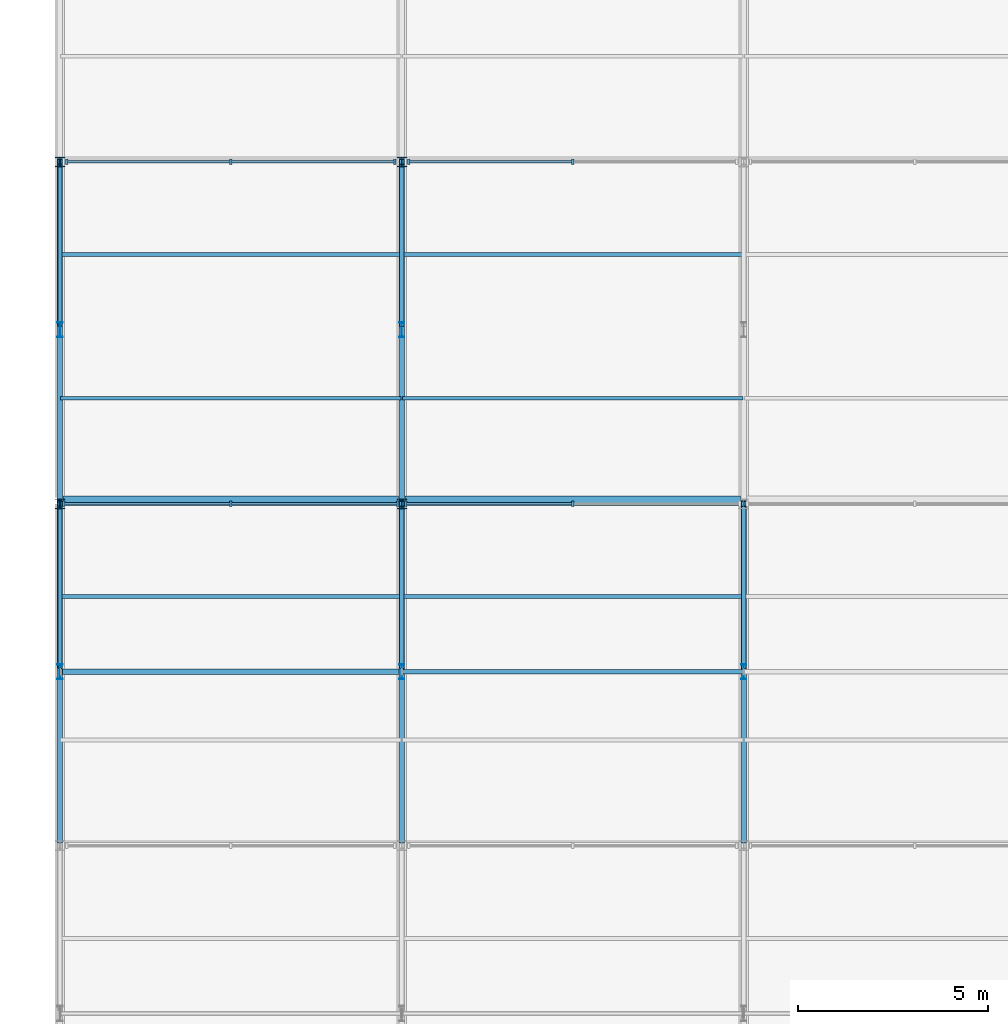
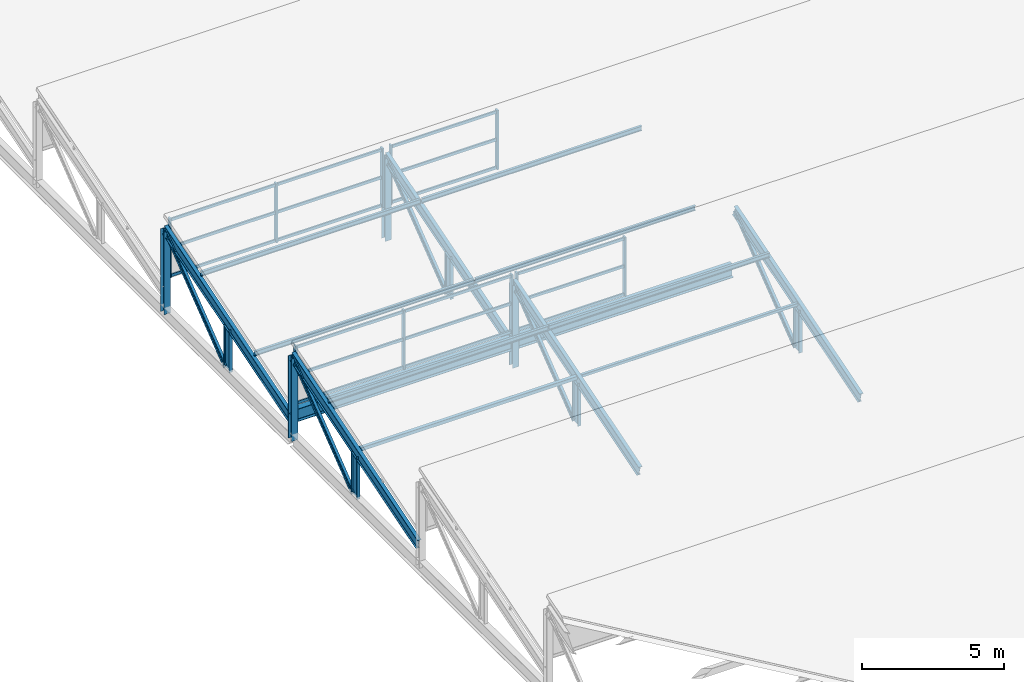
# One storey, part 48 of 163: 55 members, 2 beams, 4 elements without a shape of their own.
"""IFC4 building model written with IfcOpenShell, lengths in metres."""

from ifc_helpers import new_model, si_unit, direction, frame, origin, origin_2d, place, context, subcontext, project, spatial, rectangle, hollow_rectangle, i_section, extrude, material, material_profile, profile_set, type_object, element, aggregate, save


model = new_model("IFC4")

# Units and contexts
model_context = context("Model", 3, precision=1e-05, world=origin(), true_north=direction((0.0, 1.0)))
body_context = subcontext(model_context, "Body", "Model", "MODEL_VIEW")
ifc_project = project(units=[si_unit("LENGTHUNIT", "METRE"), si_unit("AREAUNIT", "SQUARE_METRE"), si_unit("VOLUMEUNIT", "CUBIC_METRE"), si_unit("PLANEANGLEUNIT", "RADIAN"), si_unit("MASSUNIT", "GRAM", prefix="KILO")], contexts=[model_context])

# Site, building, storey
site_placement = place(None, origin())
site = spatial("IfcSite", under=ifc_project, at=site_placement, CompositionType="ELEMENT")
building_placement = place(site_placement, origin())
building = spatial("IfcBuilding", under=site, at=building_placement, Name="Tharagai Park Tramway Depot", CompositionType="ELEMENT")
storey_placement = place(building_placement, frame((0.0, 0.0, 8.39990234375)))
storey = spatial("IfcBuildingStorey", under=building, at=storey_placement, Name="L02", CompositionType="ELEMENT", Elevation=8.39990234375)

# Beams
ifc_material_1 = material(Name="Steel E350", Category="steel")
ifc_material_profile_1 = material_profile(ifc_material_1, i_section(OverallWidth=0.25, OverallDepth=0.550048828125, WebThickness=0.010498046875, FlangeThickness=0.017578125, FilletRadius=0.01611328125, at=origin_2d()), Name="ISWB 550")
ifc_profile_set_1 = profile_set([ifc_material_profile_1], Name="Steel E350")
beam_type = type_object("IfcBeamType", Name="BM-04", PredefinedType="BEAM", material=ifc_profile_set_1)
for number, where, z_axis, x_axis, name in (
    (1, (0.080078125, 117.0, 0.72509765625), (1.0, 0.0, 0.0), (0.0, 1.0, 0.0), "Sawtooth Valley Girder BM-04"),
    (2, (9.080078125, 117.0, 0.72509765625), (1.0, 0.0, 0.0), (0.0, 1.0, 0.0), "Sawtooth Valley Girder BM-04"),
):
    element("IfcBeam", number, at=place(storey_placement, frame(where, z_axis=z_axis, x_axis=x_axis)), inside=storey, type_object=beam_type, Name=name, PredefinedType="BEAM", context=body_context, shape_type="SweptSolid", body=[
        extrude(i_section(OverallWidth=0.25, OverallDepth=0.550048828125, WebThickness=0.010498046875, FlangeThickness=0.017578125, FilletRadius=0.01611328125, at=origin_2d()), origin(), (0.0, 0.0, 1.0), 8.83984375),
    ])

# Members
ifc_material_profile_2 = material_profile(ifc_material_1, i_section(OverallWidth=0.25, OverallDepth=0.25, WebThickness=0.0087890625, FlangeThickness=0.009765625, FilletRadius=0.010009765625, at=origin_2d()), Name="ISHB 250")
ifc_profile_set_2 = profile_set([ifc_material_profile_2], Name="Steel E350")
member_type_1 = type_object("IfcMemberType", Name="BR-01", PredefinedType="BRACE", material=ifc_profile_set_2)
for number, where, z_axis, x_axis, name in (
    (3, (0.0, 116.919921875, -0.25), (0.0, 0.0, 1.0), (1.0, 0.0, 0.0), "Sawtooth North Vertical Post BR-01"),
    (4, (0.0, 125.919921875, -0.25), (0.0, 0.0, 1.0), (1.0, 0.0, 0.0), "Sawtooth North Vertical Post BR-01"),
    (5, (9.0, 116.919921875, -0.25), (0.0, 0.0, 1.0), (1.0, 0.0, 0.0), "Sawtooth North Vertical Post BR-01"),
    (6, (9.0, 125.919921875, -0.25), (0.0, 0.0, 1.0), (1.0, 0.0, 0.0), "Sawtooth North Vertical Post BR-01"),
):
    element("IfcMember", number, at=place(storey_placement, frame(where, z_axis=z_axis, x_axis=x_axis)), inside=storey, type_object=member_type_1, Name=name, PredefinedType="BRACE", context=body_context, shape_type="SweptSolid", body=[
        extrude(i_section(OverallWidth=0.25, OverallDepth=0.25, WebThickness=0.0087890625, FlangeThickness=0.009765625, FilletRadius=0.010009765625, at=origin_2d()), origin(), (0.0, 0.0, 1.0), 3.55517578125),
    ])
ifc_material_profile_3 = material_profile(ifc_material_1, i_section(OverallWidth=0.110107421875, OverallDepth=0.22509765625, WebThickness=0.006591796875, FlangeThickness=0.01171875, FilletRadius=0.011962890625, at=origin_2d()), Name="ISMB 225")
ifc_profile_set_3 = profile_set([ifc_material_profile_3], Name="Steel E350")
member_type_2 = type_object("IfcMemberType", Name="BR-04", PredefinedType="BRACE", material=ifc_profile_set_3)
for number, where, z_axis, x_axis, name in (
    (7, (0.0, 112.64990234375, 0.0), (0.0, 0.790781596, 0.612098413188), (-1.0, 0.0, 0.0), "Sawtooth Truss Web Diagonal BR-04"),
    (8, (0.0, 121.64990234375, 0.0), (0.0, 0.790781596, 0.612098413188), (-1.0, 0.0, 0.0), "Sawtooth Truss Web Diagonal BR-04"),
    (9, (9.0, 112.64990234375, 0.0), (0.0, 0.790781596, 0.612098413188), (-1.0, 0.0, 0.0), "Sawtooth Truss Web Diagonal BR-04"),
    (10, (9.0, 121.64990234375, 0.0), (0.0, 0.790781596, 0.612098413188), (-1.0, 0.0, 0.0), "Sawtooth Truss Web Diagonal BR-04"),
    (11, (18.0, 112.64990234375, 0.0), (0.0, 0.790781596, 0.612098413188), (-1.0, 0.0, 0.0), "Sawtooth Truss Web Diagonal BR-04"),
):
    element("IfcMember", number, at=place(storey_placement, frame(where, z_axis=z_axis, x_axis=x_axis)), inside=storey, type_object=member_type_2, Name=name, PredefinedType="BRACE", context=body_context, shape_type="SweptSolid", body=[
        extrude(i_section(OverallWidth=0.110107421875, OverallDepth=0.22509765625, WebThickness=0.006591796875, FlangeThickness=0.01171875, FilletRadius=0.011962890625, at=origin_2d()), origin(), (0.0, 0.0, 1.0), 5.399658203125),
    ])
ifc_material_profile_4 = material_profile(ifc_material_1, hollow_rectangle(XDim=0.14990234375, YDim=0.14990234375, WallThickness=0.006103515625, InnerFilletRadius=0.006103515625, OuterFilletRadius=0.011962890625, at=origin_2d()), Name="SHS 150x150x6")
ifc_profile_set_4 = profile_set([ifc_material_profile_4], Name="Steel E350")
member_type_3 = type_object("IfcMemberType", Name="BR-05", PredefinedType="BRACE", material=ifc_profile_set_4)
member_1_placement = place(storey_placement, frame((0.02001953125, 112.5, 1.946533203125), z_axis=(1.0, 0.0, 0.0), x_axis=(0.0, 1.0, 0.0)))
element("IfcMember", 12, at=member_1_placement, inside=storey, type_object=member_type_3, Name="Sawtooth Tubular Tie Strut BR-05", PredefinedType="BRACE", context=body_context, shape_type="SweptSolid", body=[
    extrude(hollow_rectangle(XDim=0.14990234375, YDim=0.14990234375, WallThickness=0.006103515625, InnerFilletRadius=0.006103515625, OuterFilletRadius=0.011962890625, at=origin_2d()), origin(), (0.0, 0.0, 1.0), 8.9599609375),
])
ifc_material_2 = material(Name="Steel E250", Category="steel")
ifc_material_profile_5 = material_profile(ifc_material_2, hollow_rectangle(XDim=0.1201171875, YDim=0.1201171875, WallThickness=0.0048828125, InnerFilletRadius=0.0048828125, OuterFilletRadius=0.010009765625, at=origin_2d()), Name="SHS 120x120x5")
ifc_profile_set_5 = profile_set([ifc_material_profile_5], Name="Steel E250")
member_type_4 = type_object("IfcMemberType", Name="BR-08", PredefinedType="BRACE", material=ifc_profile_set_5)
member_2_placement = place(storey_placement, frame((9.02001953125, 112.5, 1.946533203125), z_axis=(1.0, 0.0, 0.0), x_axis=(0.0, 1.0, 0.0)))
element("IfcMember", 13, at=member_2_placement, inside=storey, type_object=member_type_4, Name="Sawtooth Tubular Tie Strut BR-08", PredefinedType="BRACE", context=body_context, shape_type="SweptSolid", body=[
    extrude(hollow_rectangle(XDim=0.1201171875, YDim=0.1201171875, WallThickness=0.0048828125, InnerFilletRadius=0.0048828125, OuterFilletRadius=0.010009765625, at=origin_2d()), origin(), (0.0, 0.0, 1.0), 8.9599609375),
])

# Curtain wall, members
ifc_material_3 = material(Name="Anodised aluminium", Category="aluminium")
curtain_wall_type_1 = type_object("IfcCurtainWallType", Name="CW-04", PredefinedType="NOTDEFINED", material=ifc_material_3)
curtain_wall_1_placement = place(storey_placement, origin())
curtain_wall_1 = element("IfcCurtainWall", 14, at=curtain_wall_1_placement, inside=storey, type_object=curtain_wall_type_1, Name="Sawtooth North-Light Clerestory CW-04", PredefinedType="NOTDEFINED")
ifc_material_profile_6 = material_profile(ifc_material_3, rectangle(XDim=0.06494140625, YDim=0.1201171875, at=origin_2d()), Name="ALU 65x120")
ifc_profile_set_6 = profile_set([ifc_material_profile_6], Name="Anodised aluminium")
member_type_5 = type_object("IfcMemberType", Name="CM-01", PredefinedType="USERDEFINED", material=ifc_profile_set_6)
member_3_placement = place(storey_placement, frame((0.114990234375, 116.919921875, 1.26513671875), z_axis=(1.0, 0.0, 0.0), x_axis=(0.0, 1.0, 0.0)))
member_3 = element("IfcMember", 15, at=member_3_placement, type_object=member_type_5, Name="Sawtooth North-Light Clerestory Transom 1.1", ObjectType="TRANSOM", PredefinedType="USERDEFINED", context=body_context, shape_type="SweptSolid", body=[
    extrude(rectangle(XDim=0.06494140625, YDim=0.1201171875, at=origin_2d()), origin(), (0.0, 0.0, 1.0), 4.3701171875),
])
member_4_placement = place(storey_placement, frame((0.114990234375, 116.919921875, 2.4736328125), z_axis=(1.0, 0.0, 0.0), x_axis=(0.0, 1.0, 0.0)))
member_4 = element("IfcMember", 16, at=member_4_placement, type_object=member_type_5, Name="Sawtooth North-Light Clerestory Transom 1.2", ObjectType="TRANSOM", PredefinedType="USERDEFINED", context=body_context, shape_type="SweptSolid", body=[
    extrude(rectangle(XDim=0.06494140625, YDim=0.1201171875, at=origin_2d()), origin(), (0.0, 0.0, 1.0), 4.3701171875),
])
member_5_placement = place(storey_placement, frame((0.114990234375, 116.919921875, 3.662353515625), z_axis=(1.0, 0.0, 0.0), x_axis=(0.0, 1.0, 0.0)))
member_5 = element("IfcMember", 17, at=member_5_placement, type_object=member_type_5, Name="Sawtooth North-Light Clerestory Transom 1.3", ObjectType="TRANSOM", PredefinedType="USERDEFINED", context=body_context, shape_type="SweptSolid", body=[
    extrude(rectangle(XDim=0.06494140625, YDim=0.1201171875, at=origin_2d()), origin(), (0.0, 0.0, 1.0), 4.3701171875),
])
member_6_placement = place(storey_placement, frame((4.514892578125, 116.919921875, 1.26513671875), z_axis=(1.0, 0.0, 0.0), x_axis=(0.0, 1.0, 0.0)))
member_6 = element("IfcMember", 18, at=member_6_placement, type_object=member_type_5, Name="Sawtooth North-Light Clerestory Transom 2.1", ObjectType="TRANSOM", PredefinedType="USERDEFINED", context=body_context, shape_type="SweptSolid", body=[
    extrude(rectangle(XDim=0.06494140625, YDim=0.1201171875, at=origin_2d()), origin(), (0.0, 0.0, 1.0), 4.3701171875),
])
member_7_placement = place(storey_placement, frame((4.514892578125, 116.919921875, 2.4736328125), z_axis=(1.0, 0.0, 0.0), x_axis=(0.0, 1.0, 0.0)))
member_7 = element("IfcMember", 19, at=member_7_placement, type_object=member_type_5, Name="Sawtooth North-Light Clerestory Transom 2.2", ObjectType="TRANSOM", PredefinedType="USERDEFINED", context=body_context, shape_type="SweptSolid", body=[
    extrude(rectangle(XDim=0.06494140625, YDim=0.1201171875, at=origin_2d()), origin(), (0.0, 0.0, 1.0), 4.3701171875),
])
member_8_placement = place(storey_placement, frame((4.514892578125, 116.919921875, 3.662353515625), z_axis=(1.0, 0.0, 0.0), x_axis=(0.0, 1.0, 0.0)))
member_8 = element("IfcMember", 20, at=member_8_placement, type_object=member_type_5, Name="Sawtooth North-Light Clerestory Transom 2.3", ObjectType="TRANSOM", PredefinedType="USERDEFINED", context=body_context, shape_type="SweptSolid", body=[
    extrude(rectangle(XDim=0.06494140625, YDim=0.1201171875, at=origin_2d()), origin(), (0.0, 0.0, 1.0), 4.3701171875),
])

curtain_wall_2_placement = place(storey_placement, origin())
curtain_wall_2 = element("IfcCurtainWall", 21, at=curtain_wall_2_placement, inside=storey, type_object=curtain_wall_type_1, Name="Sawtooth North-Light Clerestory CW-04", PredefinedType="NOTDEFINED")
member_9_placement = place(storey_placement, frame((9.114990234375, 116.919921875, 1.26513671875), z_axis=(1.0, 0.0, 0.0), x_axis=(0.0, 1.0, 0.0)))
member_9 = element("IfcMember", 22, at=member_9_placement, type_object=member_type_5, Name="Sawtooth North-Light Clerestory Transom 1.1", ObjectType="TRANSOM", PredefinedType="USERDEFINED", context=body_context, shape_type="SweptSolid", body=[
    extrude(rectangle(XDim=0.06494140625, YDim=0.1201171875, at=origin_2d()), origin(), (0.0, 0.0, 1.0), 4.3701171875),
])
member_10_placement = place(storey_placement, frame((9.114990234375, 116.919921875, 2.4736328125), z_axis=(1.0, 0.0, 0.0), x_axis=(0.0, 1.0, 0.0)))
member_10 = element("IfcMember", 23, at=member_10_placement, type_object=member_type_5, Name="Sawtooth North-Light Clerestory Transom 1.2", ObjectType="TRANSOM", PredefinedType="USERDEFINED", context=body_context, shape_type="SweptSolid", body=[
    extrude(rectangle(XDim=0.06494140625, YDim=0.1201171875, at=origin_2d()), origin(), (0.0, 0.0, 1.0), 4.3701171875),
])
member_11_placement = place(storey_placement, frame((9.114990234375, 116.919921875, 3.662353515625), z_axis=(1.0, 0.0, 0.0), x_axis=(0.0, 1.0, 0.0)))
member_11 = element("IfcMember", 24, at=member_11_placement, type_object=member_type_5, Name="Sawtooth North-Light Clerestory Transom 1.3", ObjectType="TRANSOM", PredefinedType="USERDEFINED", context=body_context, shape_type="SweptSolid", body=[
    extrude(rectangle(XDim=0.06494140625, YDim=0.1201171875, at=origin_2d()), origin(), (0.0, 0.0, 1.0), 4.3701171875),
])

curtain_wall_type_2 = type_object("IfcCurtainWallType", Name="CW-03", PredefinedType="NOTDEFINED", material=ifc_material_3)
curtain_wall_3_placement = place(storey_placement, origin())
curtain_wall_3 = element("IfcCurtainWall", 25, at=curtain_wall_3_placement, inside=storey, type_object=curtain_wall_type_2, Name="Sawtooth North-Light Clerestory CW-03", PredefinedType="NOTDEFINED")
member_12_placement = place(storey_placement, frame((0.195068359375, 125.919921875, 1.26513671875), z_axis=(1.0, 0.0, 0.0), x_axis=(0.0, 1.0, 0.0)))
member_12 = element("IfcMember", 26, at=member_12_placement, type_object=member_type_5, Name="Sawtooth North-Light Clerestory Transom 1.1", ObjectType="TRANSOM", PredefinedType="USERDEFINED", context=body_context, shape_type="SweptSolid", body=[
    extrude(rectangle(XDim=0.06494140625, YDim=0.1201171875, at=origin_2d()), origin(), (0.0, 0.0, 1.0), 4.2900390625),
])
member_13_placement = place(storey_placement, frame((0.195068359375, 125.919921875, 2.4736328125), z_axis=(1.0, 0.0, 0.0), x_axis=(0.0, 1.0, 0.0)))
member_13 = element("IfcMember", 27, at=member_13_placement, type_object=member_type_5, Name="Sawtooth North-Light Clerestory Transom 1.2", ObjectType="TRANSOM", PredefinedType="USERDEFINED", context=body_context, shape_type="SweptSolid", body=[
    extrude(rectangle(XDim=0.06494140625, YDim=0.1201171875, at=origin_2d()), origin(), (0.0, 0.0, 1.0), 4.2900390625),
])
member_14_placement = place(storey_placement, frame((0.195068359375, 125.919921875, 3.662353515625), z_axis=(1.0, 0.0, 0.0), x_axis=(0.0, 1.0, 0.0)))
member_14 = element("IfcMember", 28, at=member_14_placement, type_object=member_type_5, Name="Sawtooth North-Light Clerestory Transom 1.3", ObjectType="TRANSOM", PredefinedType="USERDEFINED", context=body_context, shape_type="SweptSolid", body=[
    extrude(rectangle(XDim=0.06494140625, YDim=0.1201171875, at=origin_2d()), origin(), (0.0, 0.0, 1.0), 4.2900390625),
])
member_15_placement = place(storey_placement, frame((4.514892578125, 125.919921875, 1.26513671875), z_axis=(1.0, 0.0, 0.0), x_axis=(0.0, 1.0, 0.0)))
member_15 = element("IfcMember", 29, at=member_15_placement, type_object=member_type_5, Name="Sawtooth North-Light Clerestory Transom 2.1", ObjectType="TRANSOM", PredefinedType="USERDEFINED", context=body_context, shape_type="SweptSolid", body=[
    extrude(rectangle(XDim=0.06494140625, YDim=0.1201171875, at=origin_2d()), origin(), (0.0, 0.0, 1.0), 4.2900390625),
])
member_16_placement = place(storey_placement, frame((4.514892578125, 125.919921875, 2.4736328125), z_axis=(1.0, 0.0, 0.0), x_axis=(0.0, 1.0, 0.0)))
member_16 = element("IfcMember", 30, at=member_16_placement, type_object=member_type_5, Name="Sawtooth North-Light Clerestory Transom 2.2", ObjectType="TRANSOM", PredefinedType="USERDEFINED", context=body_context, shape_type="SweptSolid", body=[
    extrude(rectangle(XDim=0.06494140625, YDim=0.1201171875, at=origin_2d()), origin(), (0.0, 0.0, 1.0), 4.2900390625),
])
member_17_placement = place(storey_placement, frame((4.514892578125, 125.919921875, 3.662353515625), z_axis=(1.0, 0.0, 0.0), x_axis=(0.0, 1.0, 0.0)))
member_17 = element("IfcMember", 31, at=member_17_placement, type_object=member_type_5, Name="Sawtooth North-Light Clerestory Transom 2.3", ObjectType="TRANSOM", PredefinedType="USERDEFINED", context=body_context, shape_type="SweptSolid", body=[
    extrude(rectangle(XDim=0.06494140625, YDim=0.1201171875, at=origin_2d()), origin(), (0.0, 0.0, 1.0), 4.2900390625),
])

curtain_wall_4_placement = place(storey_placement, origin())
curtain_wall_4 = element("IfcCurtainWall", 32, at=curtain_wall_4_placement, inside=storey, type_object=curtain_wall_type_2, Name="Sawtooth North-Light Clerestory CW-03", PredefinedType="NOTDEFINED")
member_18_placement = place(storey_placement, frame((9.195068359375, 125.919921875, 1.26513671875), z_axis=(1.0, 0.0, 0.0), x_axis=(0.0, 1.0, 0.0)))
member_18 = element("IfcMember", 33, at=member_18_placement, type_object=member_type_5, Name="Sawtooth North-Light Clerestory Transom 1.1", ObjectType="TRANSOM", PredefinedType="USERDEFINED", context=body_context, shape_type="SweptSolid", body=[
    extrude(rectangle(XDim=0.06494140625, YDim=0.1201171875, at=origin_2d()), origin(), (0.0, 0.0, 1.0), 4.2900390625),
])
member_19_placement = place(storey_placement, frame((9.195068359375, 125.919921875, 2.4736328125), z_axis=(1.0, 0.0, 0.0), x_axis=(0.0, 1.0, 0.0)))
member_19 = element("IfcMember", 34, at=member_19_placement, type_object=member_type_5, Name="Sawtooth North-Light Clerestory Transom 1.2", ObjectType="TRANSOM", PredefinedType="USERDEFINED", context=body_context, shape_type="SweptSolid", body=[
    extrude(rectangle(XDim=0.06494140625, YDim=0.1201171875, at=origin_2d()), origin(), (0.0, 0.0, 1.0), 4.2900390625),
])
member_20_placement = place(storey_placement, frame((9.195068359375, 125.919921875, 3.662353515625), z_axis=(1.0, 0.0, 0.0), x_axis=(0.0, 1.0, 0.0)))
member_20 = element("IfcMember", 35, at=member_20_placement, type_object=member_type_5, Name="Sawtooth North-Light Clerestory Transom 1.3", ObjectType="TRANSOM", PredefinedType="USERDEFINED", context=body_context, shape_type="SweptSolid", body=[
    extrude(rectangle(XDim=0.06494140625, YDim=0.1201171875, at=origin_2d()), origin(), (0.0, 0.0, 1.0), 4.2900390625),
])

# Member
ifc_material_profile_7 = material_profile(ifc_material_3, rectangle(XDim=0.06494140625, YDim=0.14990234375, at=origin_2d()), Name="ALU 65x150")
ifc_profile_set_7 = profile_set([ifc_material_profile_7], Name="Anodised aluminium")
member_type_6 = type_object("IfcMemberType", Name="CM-03", PredefinedType="MULLION", material=ifc_profile_set_7)
member_21_placement = place(storey_placement, frame((0.10009765625, 116.919921875, 1.2001953125), z_axis=(0.0, 0.0, 1.0), x_axis=(1.0, 0.0, 0.0)))
member_21 = element("IfcMember", 36, at=member_21_placement, type_object=member_type_6, Name="Sawtooth North-Light Clerestory Mullion 1", PredefinedType="MULLION", context=body_context, shape_type="SweptSolid", body=[
    extrude(rectangle(XDim=0.06494140625, YDim=0.14990234375, at=origin_2d()), origin(), (0.0, 0.0, 1.0), 2.547119140625),
])

member_22_placement = place(storey_placement, frame((4.5, 116.919921875, 1.2001953125), z_axis=(0.0, 0.0, 1.0), x_axis=(1.0, 0.0, 0.0)))
member_22 = element("IfcMember", 37, at=member_22_placement, type_object=member_type_6, Name="Sawtooth North-Light Clerestory Mullion 2", PredefinedType="MULLION", context=body_context, shape_type="SweptSolid", body=[
    extrude(rectangle(XDim=0.06494140625, YDim=0.14990234375, at=origin_2d()), origin(), (0.0, 0.0, 1.0), 2.547119140625),
])

member_23_placement = place(storey_placement, frame((8.89990234375, 116.919921875, 1.2001953125), z_axis=(0.0, 0.0, 1.0), x_axis=(1.0, 0.0, 0.0)))
member_23 = element("IfcMember", 38, at=member_23_placement, type_object=member_type_6, Name="Sawtooth North-Light Clerestory Mullion 3", PredefinedType="MULLION", context=body_context, shape_type="SweptSolid", body=[
    extrude(rectangle(XDim=0.06494140625, YDim=0.14990234375, at=origin_2d()), origin(), (0.0, 0.0, 1.0), 2.547119140625),
])

aggregate(curtain_wall_1, [member_21, member_22, member_23, member_3, member_4, member_5, member_6, member_7, member_8])

member_24_placement = place(storey_placement, frame((9.10009765625, 116.919921875, 1.2001953125), z_axis=(0.0, 0.0, 1.0), x_axis=(1.0, 0.0, 0.0)))
member_24 = element("IfcMember", 39, at=member_24_placement, type_object=member_type_6, Name="Sawtooth North-Light Clerestory Mullion 1", PredefinedType="MULLION", context=body_context, shape_type="SweptSolid", body=[
    extrude(rectangle(XDim=0.06494140625, YDim=0.14990234375, at=origin_2d()), origin(), (0.0, 0.0, 1.0), 2.547119140625),
])

member_25_placement = place(storey_placement, frame((13.5, 116.919921875, 1.2001953125), z_axis=(0.0, 0.0, 1.0), x_axis=(1.0, 0.0, 0.0)))
member_25 = element("IfcMember", 40, at=member_25_placement, type_object=member_type_6, Name="Sawtooth North-Light Clerestory Mullion 2", PredefinedType="MULLION", context=body_context, shape_type="SweptSolid", body=[
    extrude(rectangle(XDim=0.06494140625, YDim=0.14990234375, at=origin_2d()), origin(), (0.0, 0.0, 1.0), 2.547119140625),
])

aggregate(curtain_wall_2, [member_24, member_25, member_9, member_10, member_11])

member_26_placement = place(storey_placement, frame((0.179931640625, 125.919921875, 1.2001953125), z_axis=(0.0, 0.0, 1.0), x_axis=(1.0, 0.0, 0.0)))
member_26 = element("IfcMember", 41, at=member_26_placement, type_object=member_type_6, Name="Sawtooth North-Light Clerestory Mullion 1", PredefinedType="MULLION", context=body_context, shape_type="SweptSolid", body=[
    extrude(rectangle(XDim=0.06494140625, YDim=0.14990234375, at=origin_2d()), origin(), (0.0, 0.0, 1.0), 2.547119140625),
])

member_27_placement = place(storey_placement, frame((4.5, 125.919921875, 1.2001953125), z_axis=(0.0, 0.0, 1.0), x_axis=(1.0, 0.0, 0.0)))
member_27 = element("IfcMember", 42, at=member_27_placement, type_object=member_type_6, Name="Sawtooth North-Light Clerestory Mullion 2", PredefinedType="MULLION", context=body_context, shape_type="SweptSolid", body=[
    extrude(rectangle(XDim=0.06494140625, YDim=0.14990234375, at=origin_2d()), origin(), (0.0, 0.0, 1.0), 2.547119140625),
])

member_28_placement = place(storey_placement, frame((8.820068359375, 125.919921875, 1.2001953125), z_axis=(0.0, 0.0, 1.0), x_axis=(1.0, 0.0, 0.0)))
member_28 = element("IfcMember", 43, at=member_28_placement, type_object=member_type_6, Name="Sawtooth North-Light Clerestory Mullion 3", PredefinedType="MULLION", context=body_context, shape_type="SweptSolid", body=[
    extrude(rectangle(XDim=0.06494140625, YDim=0.14990234375, at=origin_2d()), origin(), (0.0, 0.0, 1.0), 2.547119140625),
])

aggregate(curtain_wall_3, [member_26, member_27, member_28, member_12, member_13, member_14, member_15, member_16, member_17])

member_29_placement = place(storey_placement, frame((9.179931640625, 125.919921875, 1.2001953125), z_axis=(0.0, 0.0, 1.0), x_axis=(1.0, 0.0, 0.0)))
member_29 = element("IfcMember", 44, at=member_29_placement, type_object=member_type_6, Name="Sawtooth North-Light Clerestory Mullion 1", PredefinedType="MULLION", context=body_context, shape_type="SweptSolid", body=[
    extrude(rectangle(XDim=0.06494140625, YDim=0.14990234375, at=origin_2d()), origin(), (0.0, 0.0, 1.0), 2.547119140625),
])

member_30_placement = place(storey_placement, frame((13.5, 125.919921875, 1.2001953125), z_axis=(0.0, 0.0, 1.0), x_axis=(1.0, 0.0, 0.0)))
member_30 = element("IfcMember", 45, at=member_30_placement, type_object=member_type_6, Name="Sawtooth North-Light Clerestory Mullion 2", PredefinedType="MULLION", context=body_context, shape_type="SweptSolid", body=[
    extrude(rectangle(XDim=0.06494140625, YDim=0.14990234375, at=origin_2d()), origin(), (0.0, 0.0, 1.0), 2.547119140625),
])

aggregate(curtain_wall_4, [member_29, member_30, member_18, member_19, member_20])

# Members
ifc_material_profile_8 = material_profile(ifc_material_2, i_section(OverallWidth=0.10009765625, OverallDepth=0.199951171875, WebThickness=0.00537109375, FlangeThickness=0.00732421875, FilletRadius=0.009033203125, at=origin_2d()), Name="ISLB 200")
ifc_profile_set_8 = profile_set([ifc_material_profile_8], Name="Steel E250")
member_type_7 = type_object("IfcMemberType", Name="PR-03", PredefinedType="PURLIN", material=ifc_profile_set_8)
for number, where, z_axis, x_axis, name in (
    (46, (0.02001953125, 119.699951171875, 1.733154296875), (1.0, 0.0, 0.0), (0.0, 1.0, 0.0), "Sawtooth Roof Purlin PR-03"),
    (47, (0.02001953125, 123.47998046875, 2.87451171875), (1.0, 0.0, 0.0), (0.0, 1.0, 0.0), "Sawtooth Roof Purlin PR-03"),
    (48, (9.02001953125, 119.699951171875, 1.733154296875), (1.0, 0.0, 0.0), (0.0, 1.0, 0.0), "Sawtooth Roof Purlin PR-03"),
    (49, (9.02001953125, 123.47998046875, 2.87451171875), (1.0, 0.0, 0.0), (0.0, 1.0, 0.0), "Sawtooth Roof Purlin PR-03"),
):
    element("IfcMember", number, at=place(storey_placement, frame(where, z_axis=z_axis, x_axis=x_axis)), inside=storey, type_object=member_type_7, Name=name, PredefinedType="PURLIN", context=body_context, shape_type="SweptSolid", body=[
        extrude(i_section(OverallWidth=0.10009765625, OverallDepth=0.199951171875, WebThickness=0.00537109375, FlangeThickness=0.00732421875, FilletRadius=0.009033203125, at=origin_2d()), origin(), (0.0, 0.0, 1.0), 8.9599609375),
    ])
ifc_material_profile_9 = material_profile(ifc_material_2, i_section(OverallWidth=0.10009765625, OverallDepth=0.199951171875, WebThickness=0.005615234375, FlangeThickness=0.0107421875, FilletRadius=0.010986328125, at=origin_2d()), Name="ISMB 200")
ifc_profile_set_9 = profile_set([ifc_material_profile_9], Name="Steel E250")
member_type_8 = type_object("IfcMemberType", Name="PR-04", PredefinedType="PURLIN", material=ifc_profile_set_9)
for number, where, z_axis, x_axis, name in (
    (50, (0.02001953125, 114.47998046875, 2.87451171875), (1.0, 0.0, 0.0), (0.0, 1.0, 0.0), "Sawtooth Roof Purlin PR-04"),
    (51, (9.02001953125, 114.47998046875, 2.87451171875), (1.0, 0.0, 0.0), (0.0, 1.0, 0.0), "Sawtooth Roof Purlin PR-04"),
):
    element("IfcMember", number, at=place(storey_placement, frame(where, z_axis=z_axis, x_axis=x_axis)), inside=storey, type_object=member_type_8, Name=name, PredefinedType="PURLIN", context=body_context, shape_type="SweptSolid", body=[
        extrude(i_section(OverallWidth=0.10009765625, OverallDepth=0.199951171875, WebThickness=0.005615234375, FlangeThickness=0.0107421875, FilletRadius=0.010986328125, at=origin_2d()), origin(), (0.0, 0.0, 1.0), 8.9599609375),
    ])
ifc_material_profile_10 = material_profile(ifc_material_1, i_section(OverallWidth=0.14990234375, OverallDepth=0.449951171875, WebThickness=0.009521484375, FlangeThickness=0.017333984375, FilletRadius=0.014892578125, at=origin_2d()), Name="ISMB 450")
ifc_profile_set_10 = profile_set([ifc_material_profile_10], Name="Steel E350")
member_type_9 = type_object("IfcMemberType", Name="TC-05", PredefinedType="CHORD", material=ifc_profile_set_10)
for number, where, z_axis, x_axis, name in (
    (52, (0.0, 108.06005859375, 0.587890625), (0.0, 0.956231486327, 0.29261125159), (-1.0, 0.0, 0.0), "Sawtooth Top Chord TC-05"),
    (53, (0.0, 117.06005859375, 0.587890625), (0.0, 0.956231486327, 0.29261125159), (-1.0, 0.0, 0.0), "Sawtooth Top Chord TC-05"),
    (54, (9.0, 108.06005859375, 0.587890625), (0.0, 0.956231486327, 0.29261125159), (-1.0, 0.0, 0.0), "Sawtooth Top Chord TC-05"),
    (55, (9.0, 117.06005859375, 0.587890625), (0.0, 0.956231486327, 0.29261125159), (-1.0, 0.0, 0.0), "Sawtooth Top Chord TC-05"),
    (56, (18.0, 108.06005859375, 0.587890625), (0.0, 0.956231486327, 0.29261125159), (-1.0, 0.0, 0.0), "Sawtooth Top Chord TC-05"),
):
    element("IfcMember", number, at=place(storey_placement, frame(where, z_axis=z_axis, x_axis=x_axis)), inside=storey, type_object=member_type_9, Name=name, PredefinedType="CHORD", context=body_context, shape_type="SweptSolid", body=[
        extrude(i_section(OverallWidth=0.14990234375, OverallDepth=0.449951171875, WebThickness=0.009521484375, FlangeThickness=0.017333984375, FilletRadius=0.014892578125, at=origin_2d()), origin(), (0.0, 0.0, 1.0), 9.286376953125),
    ])
ifc_material_profile_11 = material_profile(ifc_material_1, i_section(OverallWidth=0.139892578125, OverallDepth=0.39990234375, WebThickness=0.0087890625, FlangeThickness=0.01611328125, FilletRadius=0.013916015625, at=origin_2d()), Name="ISMB 400")
ifc_profile_set_11 = profile_set([ifc_material_profile_11], Name="Steel E350")
member_type_10 = type_object("IfcMemberType", Name="TC-06", PredefinedType="CHORD", material=ifc_profile_set_11)
for number, where, z_axis, x_axis, name in (
    (57, (0.0, 112.5, -0.0498046875), (0.0, 0.0, 1.0), (1.0, 0.0, 0.0), "Sawtooth Mid-Tooth Strut TC-06"),
    (58, (0.0, 121.5, -0.0498046875), (0.0, 0.0, 1.0), (1.0, 0.0, 0.0), "Sawtooth Mid-Tooth Strut TC-06"),
    (59, (9.0, 112.5, -0.0498046875), (0.0, 0.0, 1.0), (1.0, 0.0, 0.0), "Sawtooth Mid-Tooth Strut TC-06"),
    (60, (9.0, 121.5, -0.0498046875), (0.0, 0.0, 1.0), (1.0, 0.0, 0.0), "Sawtooth Mid-Tooth Strut TC-06"),
    (61, (18.0, 112.5, -0.0498046875), (0.0, 0.0, 1.0), (1.0, 0.0, 0.0), "Sawtooth Mid-Tooth Strut TC-06"),
):
    element("IfcMember", number, at=place(storey_placement, frame(where, z_axis=z_axis, x_axis=x_axis)), inside=storey, type_object=member_type_10, Name=name, PredefinedType="CHORD", context=body_context, shape_type="SweptSolid", body=[
        extrude(i_section(OverallWidth=0.139892578125, OverallDepth=0.39990234375, WebThickness=0.0087890625, FlangeThickness=0.01611328125, FilletRadius=0.013916015625, at=origin_2d()), origin(), (0.0, 0.0, 1.0), 1.846435546875),
    ])

save(model, "model.ifc")
